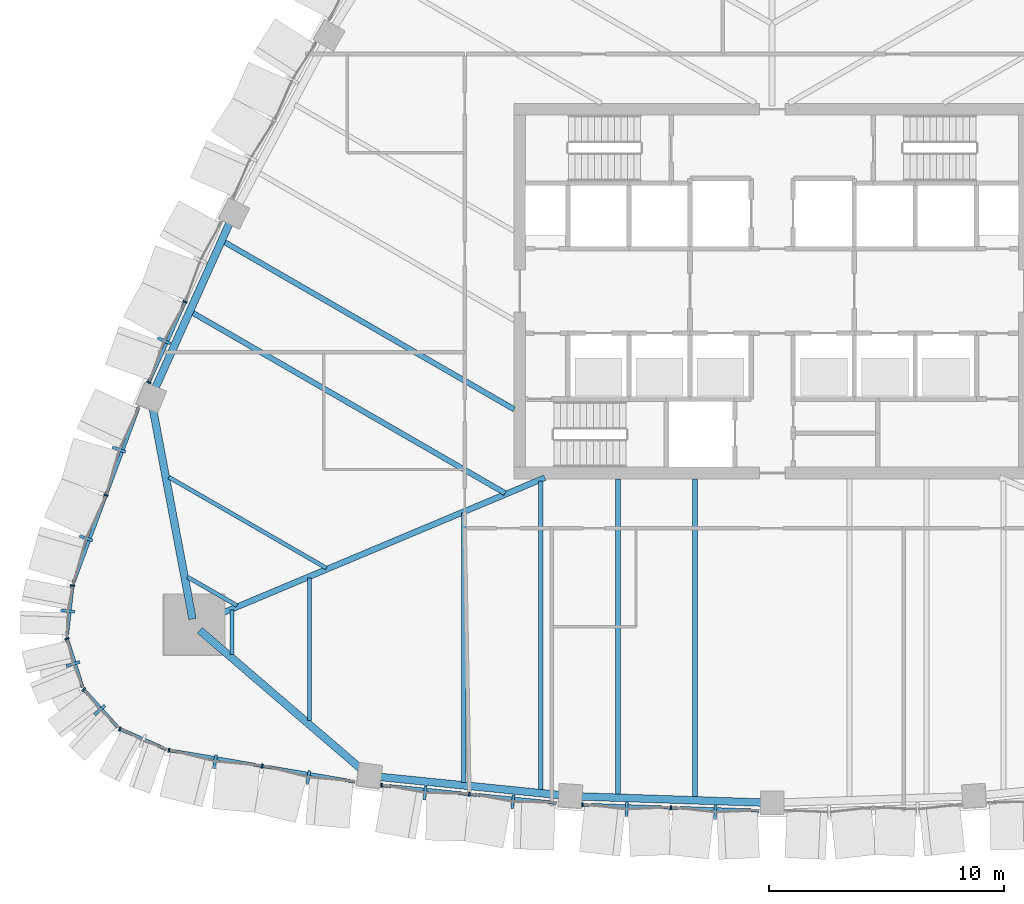
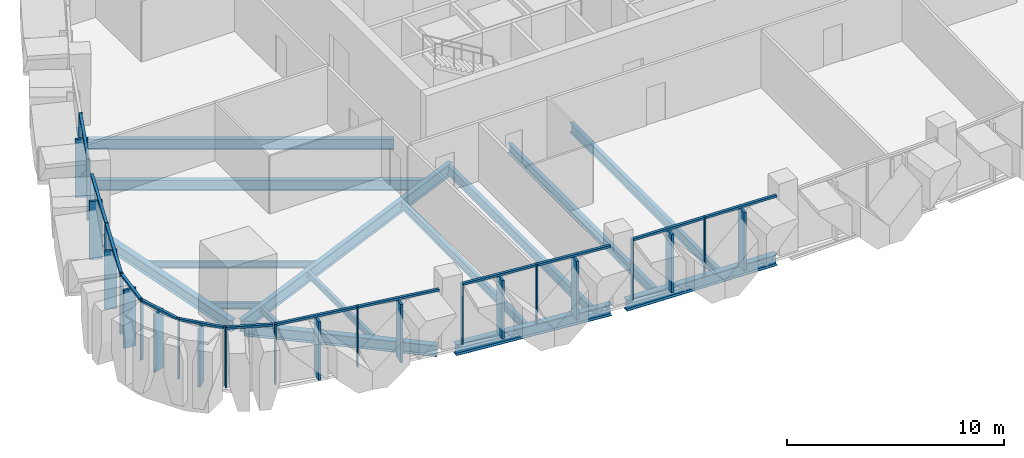
# One storey, part 2 of 22: 38 members, 16 beams, 9 elements without a shape of their own.
"""IFC4 building model written with IfcOpenShell, lengths in metres."""

from ifc_helpers import new_model, si_unit, direction, frame, origin, origin_2d, place, context, subcontext, project, spatial, rectangle, i_section, extrude, material, layer, layer_set, material_profile, profile_set, type_object, element, aggregate, save


model = new_model("IFC4")

# Units and contexts
model_context = context("Model", 3, precision=1e-05, world=origin(), true_north=direction((0.0, 1.0)))
body_context = subcontext(model_context, "Body", "Model", "MODEL_VIEW")
ifc_project = project(units=[si_unit("LENGTHUNIT", "METRE"), si_unit("AREAUNIT", "SQUARE_METRE"), si_unit("VOLUMEUNIT", "CUBIC_METRE"), si_unit("PLANEANGLEUNIT", "RADIAN"), si_unit("MASSUNIT", "GRAM", prefix="KILO")], contexts=[model_context])

# Site, building, storey
site_placement = place(None, origin())
site = spatial("IfcSite", under=ifc_project, at=site_placement, CompositionType="ELEMENT")
building_placement = place(site_placement, origin())
building = spatial("IfcBuilding", under=site, at=building_placement, Name="Sierra Prisma Convention Tower", CompositionType="ELEMENT")
storey_placement = place(building_placement, frame((0.0, 0.0, 141.800048828125)))
storey = spatial("IfcBuildingStorey", under=building, at=storey_placement, Name="L30", CompositionType="ELEMENT", Elevation=141.800048828125)

# Curtain wall, member
ifc_material_1 = material(Name="Aluminium and glass curtain wall", Category="aluminium")
ifc_layer = layer(ifc_material_1, 0.179931640625)
ifc_layer_set = layer_set([ifc_layer], Name="CW-2 Faceted crystal curtain wall")
curtain_wall_type = type_object("IfcCurtainWallType", Name="CW-2 Faceted crystal curtain wall", PredefinedType="NOTDEFINED", material=ifc_layer_set)
curtain_wall_1_placement = place(storey_placement, origin())
curtain_wall_1 = element("IfcCurtainWall", 1, at=curtain_wall_1_placement, inside=storey, type_object=curtain_wall_type, Name="CW-2 NW5 L30", PredefinedType="NOTDEFINED")
ifc_material_2 = material(Name="Aluminium 6063-T6 bronze anodised", Category="aluminium")
ifc_material_profile_1 = material_profile(ifc_material_2, rectangle(XDim=0.1201171875, YDim=0.60009765625, at=origin_2d()), Name="ALU RIDGE BLADE 120x600")
ifc_profile_set_1 = profile_set([ifc_material_profile_1], Name="Aluminium 6063-T6 bronze anodised")
member_type_1 = type_object("IfcMemberType", Name="CW hip bronze", PredefinedType="MULLION", material=ifc_profile_set_1)
member_1_placement = place(storey_placement, frame((-25.91552734375, -2.11181640625, 0.0), z_axis=(0.0, 0.0, 1.0), x_axis=(-0.410489192904, -0.911865462943, 0.0)))
member_1 = element("IfcMember", 2, at=member_1_placement, type_object=member_type_1, Name="CW-2 ridge NW5.2", PredefinedType="MULLION", context=body_context, shape_type="SweptSolid", body=[
    extrude(rectangle(XDim=0.1201171875, YDim=0.60009765625, at=origin_2d()), origin(), (0.0, 0.0, 1.0), 3.280029296875),
])

# Curtain wall, members
curtain_wall_2_placement = place(storey_placement, origin())
curtain_wall_2 = element("IfcCurtainWall", 3, at=curtain_wall_2_placement, inside=storey, type_object=curtain_wall_type, Name="CW-2 NW6 L30", PredefinedType="NOTDEFINED")
member_2_placement = place(storey_placement, frame((-27.827880859375, -6.7509765625, 0.0), z_axis=(0.0, 0.0, 1.0), x_axis=(-0.34845123133, -0.937326911693, 0.0)))
member_2 = element("IfcMember", 4, at=member_2_placement, type_object=member_type_1, Name="CW-2 ridge NW6.1", PredefinedType="MULLION", context=body_context, shape_type="SweptSolid", body=[
    extrude(rectangle(XDim=0.1201171875, YDim=0.60009765625, at=origin_2d()), origin(), (0.0, 0.0, 1.0), 3.280029296875),
])
member_3_placement = place(storey_placement, frame((-29.23291015625, -10.5302734375, 0.0), z_axis=(0.0, 0.0, 1.0), x_axis=(-0.34845123133, -0.937326911693, 0.0)))
member_3 = element("IfcMember", 5, at=member_3_placement, type_object=member_type_1, Name="CW-2 ridge NW6.2", PredefinedType="MULLION", context=body_context, shape_type="SweptSolid", body=[
    extrude(rectangle(XDim=0.1201171875, YDim=0.60009765625, at=origin_2d()), origin(), (0.0, 0.0, 1.0), 3.280029296875),
])

# Curtain wall, member
curtain_wall_3_placement = place(storey_placement, origin())
curtain_wall_3 = element("IfcCurtainWall", 6, at=curtain_wall_3_placement, inside=storey, type_object=curtain_wall_type, Name="CW-2 SW1 L30", PredefinedType="NOTDEFINED")
member_4_placement = place(storey_placement, frame((-30.011474609375, -13.6318359375, 0.0), z_axis=(0.0, 0.0, 1.0), x_axis=(-0.110659829885, -0.993858341038, 0.0)))
member_4 = element("IfcMember", 7, at=member_4_placement, type_object=member_type_1, Name="CW-2 ridge SW1.1", PredefinedType="MULLION", context=body_context, shape_type="SweptSolid", body=[
    extrude(rectangle(XDim=0.1201171875, YDim=0.60009765625, at=origin_2d()), origin(), (0.0, 0.0, 1.0), 3.280029296875),
])

curtain_wall_4_placement = place(storey_placement, origin())
curtain_wall_4 = element("IfcCurtainWall", 8, at=curtain_wall_4_placement, inside=storey, type_object=curtain_wall_type, Name="CW-2 SW2 L30", PredefinedType="NOTDEFINED")
member_5_placement = place(storey_placement, frame((-29.78369140625, -15.886962890625, 0.0), z_axis=(0.0, 0.0, 1.0), x_axis=(0.307061231267, -0.951689760506, 0.0)))
member_5 = element("IfcMember", 9, at=member_5_placement, type_object=member_type_1, Name="CW-2 ridge SW2.1", PredefinedType="MULLION", context=body_context, shape_type="SweptSolid", body=[
    extrude(rectangle(XDim=0.1201171875, YDim=0.60009765625, at=origin_2d()), origin(), (0.0, 0.0, 1.0), 3.280029296875),
])

curtain_wall_5_placement = place(storey_placement, origin())
curtain_wall_5 = element("IfcCurtainWall", 10, at=curtain_wall_5_placement, inside=storey, type_object=curtain_wall_type, Name="CW-2 SW3 L30", PredefinedType="NOTDEFINED")
member_6_placement = place(storey_placement, frame((-28.650390625, -17.85009765625, 0.0), z_axis=(0.0, 0.0, 1.0), x_axis=(0.670656893487, -0.741767707048, 0.0)))
member_6 = element("IfcMember", 11, at=member_6_placement, type_object=member_type_1, Name="CW-2 ridge SW3.1", PredefinedType="MULLION", context=body_context, shape_type="SweptSolid", body=[
    extrude(rectangle(XDim=0.1201171875, YDim=0.60009765625, at=origin_2d()), origin(), (0.0, 0.0, 1.0), 3.280029296875),
])

# Curtain wall, members
curtain_wall_6_placement = place(storey_placement, origin())
curtain_wall_6 = element("IfcCurtainWall", 12, at=curtain_wall_6_placement, inside=storey, type_object=curtain_wall_type, Name="CW-2 S1 L30", PredefinedType="NOTDEFINED")
member_7_placement = place(storey_placement, frame((-23.73583984375, -20.05126953125, 0.0), z_axis=(0.0, 0.0, 1.0), x_axis=(0.985974532842, -0.166895837535, 0.0)))
member_7 = element("IfcMember", 13, at=member_7_placement, type_object=member_type_1, Name="CW-2 ridge S1.1", PredefinedType="MULLION", context=body_context, shape_type="SweptSolid", body=[
    extrude(rectangle(XDim=0.1201171875, YDim=0.60009765625, at=origin_2d()), origin(), (0.0, 0.0, 1.0), 3.280029296875),
])
member_8_placement = place(storey_placement, frame((-19.760498046875, -20.72412109375, 0.0), z_axis=(0.0, 0.0, 1.0), x_axis=(0.985974532842, -0.166895837535, 0.0)))
member_8 = element("IfcMember", 14, at=member_8_placement, type_object=member_type_1, Name="CW-2 ridge S1.2", PredefinedType="MULLION", context=body_context, shape_type="SweptSolid", body=[
    extrude(rectangle(XDim=0.1201171875, YDim=0.60009765625, at=origin_2d()), origin(), (0.0, 0.0, 1.0), 3.280029296875),
])

curtain_wall_7_placement = place(storey_placement, origin())
curtain_wall_7 = element("IfcCurtainWall", 15, at=curtain_wall_7_placement, inside=storey, type_object=curtain_wall_type, Name="CW-2 S2 L30", PredefinedType="NOTDEFINED")
member_9_placement = place(storey_placement, frame((-14.78662109375, -21.3876953125, 0.0), z_axis=(0.0, 0.0, 1.0), x_axis=(0.994943252195, -0.100438662437, 0.0)))
member_9 = element("IfcMember", 16, at=member_9_placement, type_object=member_type_1, Name="CW-2 ridge S2.1", PredefinedType="MULLION", context=body_context, shape_type="SweptSolid", body=[
    extrude(rectangle(XDim=0.1201171875, YDim=0.60009765625, at=origin_2d()), origin(), (0.0, 0.0, 1.0), 3.280029296875),
])
member_10_placement = place(storey_placement, frame((-11.046142578125, -21.765380859375, 0.0), z_axis=(0.0, 0.0, 1.0), x_axis=(0.994943252195, -0.100438662437, 0.0)))
member_10 = element("IfcMember", 17, at=member_10_placement, type_object=member_type_1, Name="CW-2 ridge S2.2", PredefinedType="MULLION", context=body_context, shape_type="SweptSolid", body=[
    extrude(rectangle(XDim=0.1201171875, YDim=0.60009765625, at=origin_2d()), origin(), (0.0, 0.0, 1.0), 3.280029296875),
])

curtain_wall_8_placement = place(storey_placement, origin())
curtain_wall_8 = element("IfcCurtainWall", 18, at=curtain_wall_8_placement, inside=storey, type_object=curtain_wall_type, Name="CW-2 S3 L30", PredefinedType="NOTDEFINED")
member_11_placement = place(storey_placement, frame((-6.19970703125, -22.0908203125, 0.0), z_axis=(0.0, 0.0, 1.0), x_axis=(0.999437717663, -0.033529815272, 0.0)))
member_11 = element("IfcMember", 19, at=member_11_placement, type_object=member_type_1, Name="CW-2 ridge S3.1", PredefinedType="MULLION", context=body_context, shape_type="SweptSolid", body=[
    extrude(rectangle(XDim=0.1201171875, YDim=0.60009765625, at=origin_2d()), origin(), (0.0, 0.0, 1.0), 3.280029296875),
])
member_12_placement = place(storey_placement, frame((-2.42626953125, -22.21728515625, 0.0), z_axis=(0.0, 0.0, 1.0), x_axis=(0.999437717663, -0.033529815272, 0.0)))
member_12 = element("IfcMember", 20, at=member_12_placement, type_object=member_type_1, Name="CW-2 ridge S3.2", PredefinedType="MULLION", context=body_context, shape_type="SweptSolid", body=[
    extrude(rectangle(XDim=0.1201171875, YDim=0.60009765625, at=origin_2d()), origin(), (0.0, 0.0, 1.0), 3.280029296875),
])

# Member
ifc_material_3 = material(Name="Aluminium 6063-T6 bronze anodised", Category="aluminium")
ifc_material_profile_2 = material_profile(ifc_material_3, rectangle(XDim=0.179931640625, YDim=0.070068359375, at=origin_2d()), Name="ALU MULLION 70x180")
ifc_profile_set_2 = profile_set([ifc_material_profile_2], Name="Aluminium 6063-T6 bronze anodised")
member_type_2 = type_object("IfcMemberType", Name="CW mullion bronze", PredefinedType="MULLION", material=ifc_profile_set_2)
member_13_placement = place(storey_placement, frame((-25.01171875, -0.457275390625, 0.0), z_axis=(0.0, 0.0, 1.0), x_axis=(0.911865462943, -0.410489192904, 0.0)))
member_13 = element("IfcMember", 21, at=member_13_placement, type_object=member_type_2, Name="CW-1 mullion NW5.2", PredefinedType="MULLION", context=body_context, shape_type="SweptSolid", body=[
    extrude(rectangle(XDim=0.179931640625, YDim=0.070068359375, at=origin_2d()), origin(), (0.0, 0.0, 1.0), 3.39990234375),
])

member_14_placement = place(storey_placement, frame((-26.554931640625, -3.885498046875, 0.0), z_axis=(0.0, 0.0, 1.0), x_axis=(0.911865462943, -0.410489192904, 0.0)))
member_14 = element("IfcMember", 22, at=member_14_placement, type_object=member_type_2, Name="CW-1 mullion NW5.3", PredefinedType="MULLION", context=body_context, shape_type="SweptSolid", body=[
    extrude(rectangle(XDim=0.179931640625, YDim=0.070068359375, at=origin_2d()), origin(), (0.0, 0.0, 1.0), 3.39990234375),
])

member_15_placement = place(storey_placement, frame((-28.38427734375, -8.695068359375, 0.0), z_axis=(0.0, 0.0, 1.0), x_axis=(0.937326911693, -0.34845123133, 0.0)))
member_15 = element("IfcMember", 23, at=member_15_placement, type_object=member_type_2, Name="CW-1 mullion NW6.2", PredefinedType="MULLION", context=body_context, shape_type="SweptSolid", body=[
    extrude(rectangle(XDim=0.179931640625, YDim=0.070068359375, at=origin_2d()), origin(), (0.0, 0.0, 1.0), 3.39990234375),
])

member_16_placement = place(storey_placement, frame((-29.80517578125, -12.541748046875, 0.0), z_axis=(0.0, 0.0, 1.0), x_axis=(0.993858341038, -0.110659829885, 0.0)))
member_16 = element("IfcMember", 24, at=member_16_placement, type_object=member_type_2, Name="CW-1 mullion SW1.1", PredefinedType="MULLION", context=body_context, shape_type="SweptSolid", body=[
    extrude(rectangle(XDim=0.179931640625, YDim=0.070068359375, at=origin_2d()), origin(), (0.0, 0.0, 1.0), 3.39990234375),
])

member_17_placement = place(storey_placement, frame((-30.043212890625, -14.808349609375, 0.0), z_axis=(0.0, 0.0, 1.0), x_axis=(0.951689760506, 0.307061231267, 0.0)))
member_17 = element("IfcMember", 25, at=member_17_placement, type_object=member_type_2, Name="CW-1 mullion SW2.1", PredefinedType="MULLION", context=body_context, shape_type="SweptSolid", body=[
    extrude(rectangle(XDim=0.179931640625, YDim=0.070068359375, at=origin_2d()), origin(), (0.0, 0.0, 1.0), 3.39990234375),
])

member_18_placement = place(storey_placement, frame((-29.32958984375, -16.972900390625, 0.0), z_axis=(0.0, 0.0, 1.0), x_axis=(0.741767707048, 0.670656893487, 0.0)))
member_18 = element("IfcMember", 26, at=member_18_placement, type_object=member_type_2, Name="CW-1 mullion SW3.1", PredefinedType="MULLION", context=body_context, shape_type="SweptSolid", body=[
    extrude(rectangle(XDim=0.179931640625, YDim=0.070068359375, at=origin_2d()), origin(), (0.0, 0.0, 1.0), 3.39990234375),
])

# Curtain wall, member
curtain_wall_9_placement = place(storey_placement, origin())
curtain_wall_9 = element("IfcCurtainWall", 27, at=curtain_wall_9_placement, inside=storey, type_object=curtain_wall_type, Name="CW-2 SW4 L30", PredefinedType="NOTDEFINED")
member_19_placement = place(storey_placement, frame((-27.79052734375, -18.65380859375, 0.0), z_axis=(0.0, 0.0, 1.0), x_axis=(0.40109494666, 0.916036486044, 0.0)))
member_19 = element("IfcMember", 28, at=member_19_placement, type_object=member_type_2, Name="CW-1 mullion SW4.1", PredefinedType="MULLION", context=body_context, shape_type="SweptSolid", body=[
    extrude(rectangle(XDim=0.179931640625, YDim=0.070068359375, at=origin_2d()), origin(), (0.0, 0.0, 1.0), 3.39990234375),
])

# Member
member_20_placement = place(storey_placement, frame((-25.697509765625, -19.56103515625, 0.0), z_axis=(0.0, 0.0, 1.0), x_axis=(0.166895837535, 0.985974532842, 0.0)))
member_20 = element("IfcMember", 29, at=member_20_placement, type_object=member_type_2, Name="CW-1 mullion S1.1", PredefinedType="MULLION", context=body_context, shape_type="SweptSolid", body=[
    extrude(rectangle(XDim=0.179931640625, YDim=0.070068359375, at=origin_2d()), origin(), (0.0, 0.0, 1.0), 3.39990234375),
])

member_21_placement = place(storey_placement, frame((-21.72216796875, -20.23388671875, 0.0), z_axis=(0.0, 0.0, 1.0), x_axis=(0.166895837535, 0.985974532842, 0.0)))
member_21 = element("IfcMember", 30, at=member_21_placement, type_object=member_type_2, Name="CW-1 mullion S1.2", PredefinedType="MULLION", context=body_context, shape_type="SweptSolid", body=[
    extrude(rectangle(XDim=0.179931640625, YDim=0.070068359375, at=origin_2d()), origin(), (0.0, 0.0, 1.0), 3.39990234375),
])

member_22_placement = place(storey_placement, frame((-16.642333984375, -21.054443359375, 0.0), z_axis=(0.0, 0.0, 1.0), x_axis=(0.100438662437, 0.994943252195, 0.0)))
member_22 = element("IfcMember", 31, at=member_22_placement, type_object=member_type_2, Name="CW-1 mullion S2.1", PredefinedType="MULLION", context=body_context, shape_type="SweptSolid", body=[
    extrude(rectangle(XDim=0.179931640625, YDim=0.070068359375, at=origin_2d()), origin(), (0.0, 0.0, 1.0), 3.39990234375),
])

member_23_placement = place(storey_placement, frame((-12.90185546875, -21.43212890625, 0.0), z_axis=(0.0, 0.0, 1.0), x_axis=(0.100438662437, 0.994943252195, 0.0)))
member_23 = element("IfcMember", 32, at=member_23_placement, type_object=member_type_2, Name="CW-1 mullion S2.2", PredefinedType="MULLION", context=body_context, shape_type="SweptSolid", body=[
    extrude(rectangle(XDim=0.179931640625, YDim=0.070068359375, at=origin_2d()), origin(), (0.0, 0.0, 1.0), 3.39990234375),
])

member_24_placement = place(storey_placement, frame((-8.08154296875, -21.8818359375, 0.0), z_axis=(0.0, 0.0, 1.0), x_axis=(0.033529815272, 0.999437717663, 0.0)))
member_24 = element("IfcMember", 33, at=member_24_placement, type_object=member_type_2, Name="CW-1 mullion S3.1", PredefinedType="MULLION", context=body_context, shape_type="SweptSolid", body=[
    extrude(rectangle(XDim=0.179931640625, YDim=0.070068359375, at=origin_2d()), origin(), (0.0, 0.0, 1.0), 3.39990234375),
])

member_25_placement = place(storey_placement, frame((-4.30810546875, -22.00830078125, 0.0), z_axis=(0.0, 0.0, 1.0), x_axis=(0.033529815272, 0.999437717663, 0.0)))
member_25 = element("IfcMember", 34, at=member_25_placement, type_object=member_type_2, Name="CW-1 mullion S3.2", PredefinedType="MULLION", context=body_context, shape_type="SweptSolid", body=[
    extrude(rectangle(XDim=0.179931640625, YDim=0.070068359375, at=origin_2d()), origin(), (0.0, 0.0, 1.0), 3.39990234375),
])

ifc_material_4 = material(Name="Aluminium 6063-T6 bronze anodised", Category="aluminium")
ifc_material_profile_3 = material_profile(ifc_material_4, rectangle(XDim=0.139892578125, YDim=0.1201171875, at=origin_2d()), Name="ALU TRANSOM 120x140")
ifc_profile_set_3 = profile_set([ifc_material_profile_3], Name="Aluminium 6063-T6 bronze anodised")
member_type_3 = type_object("IfcMemberType", Name="CW transom bronze", PredefinedType="USERDEFINED", material=ifc_profile_set_3)
member_26_placement = place(storey_placement, frame((-25.02587890625, -0.4892578125, 3.33984375), z_axis=(-0.41052975614, -0.911847201742, 0.0), x_axis=(0.911847201742, -0.41052975614, 0.0)))
member_26 = element("IfcMember", 35, at=member_26_placement, type_object=member_type_3, Name="CW-1 transom NW5.2", ObjectType="TRANSOM", PredefinedType="USERDEFINED", context=body_context, shape_type="SweptSolid", body=[
    extrude(rectangle(XDim=0.139892578125, YDim=0.1201171875, at=origin_2d()), origin(), (0.0, 0.0, 1.0), 3.689453125),
])

aggregate(curtain_wall_1, [member_13, member_14, member_26, member_1])

member_27_placement = place(storey_placement, frame((-26.991455078125, -4.948486328125, 3.33984375), z_axis=(-0.348468097312, -0.937320641593, 0.0), x_axis=(0.937320641593, -0.348468097312, 0.0)))
member_27 = element("IfcMember", 36, at=member_27_placement, type_object=member_type_3, Name="CW-1 transom NW6.1", ObjectType="TRANSOM", PredefinedType="USERDEFINED", context=body_context, shape_type="SweptSolid", body=[
    extrude(rectangle(XDim=0.139892578125, YDim=0.1201171875, at=origin_2d()), origin(), (0.0, 0.0, 1.0), 3.9619140625),
])

member_28_placement = place(storey_placement, frame((-28.396484375, -8.727783203125, 3.33984375), z_axis=(-0.348413956998, -0.937340767581, 0.0), x_axis=(0.937340767581, -0.348413956998, 0.0)))
member_28 = element("IfcMember", 37, at=member_28_placement, type_object=member_type_3, Name="CW-1 transom NW6.2", ObjectType="TRANSOM", PredefinedType="USERDEFINED", context=body_context, shape_type="SweptSolid", body=[
    extrude(rectangle(XDim=0.139892578125, YDim=0.1201171875, at=origin_2d()), origin(), (0.0, 0.0, 1.0), 3.9619140625),
])

aggregate(curtain_wall_2, [member_15, member_27, member_2, member_28, member_3])

member_29_placement = place(storey_placement, frame((-29.80908203125, -12.57666015625, 3.33984375), z_axis=(-0.110669201366, -0.993857297538, 0.0), x_axis=(0.993857297538, -0.110669201366, 0.0)))
member_29 = element("IfcMember", 38, at=member_29_placement, type_object=member_type_3, Name="CW-1 transom SW1.1", ObjectType="TRANSOM", PredefinedType="USERDEFINED", context=body_context, shape_type="SweptSolid", body=[
    extrude(rectangle(XDim=0.139892578125, YDim=0.1201171875, at=origin_2d()), origin(), (0.0, 0.0, 1.0), 2.14208984375),
])

aggregate(curtain_wall_3, [member_16, member_29, member_4])

member_30_placement = place(storey_placement, frame((-30.032470703125, -14.841796875, 3.33984375), z_axis=(0.307152625268, -0.951660267528, 0.0), x_axis=(0.951660267528, 0.307152625268, 0.0)))
member_30 = element("IfcMember", 39, at=member_30_placement, type_object=member_type_3, Name="CW-1 transom SW2.1", ObjectType="TRANSOM", PredefinedType="USERDEFINED", context=body_context, shape_type="SweptSolid", body=[
    extrude(rectangle(XDim=0.139892578125, YDim=0.1201171875, at=origin_2d()), origin(), (0.0, 0.0, 1.0), 2.14208984375),
])

aggregate(curtain_wall_4, [member_17, member_30, member_5])

member_31_placement = place(storey_placement, frame((-29.30615234375, -16.9990234375, 3.33984375), z_axis=(0.670650647687, -0.741773354036, 0.0), x_axis=(0.741773354036, 0.670650647687, 0.0)))
member_31 = element("IfcMember", 40, at=member_31_placement, type_object=member_type_3, Name="CW-1 transom SW3.1", ObjectType="TRANSOM", PredefinedType="USERDEFINED", context=body_context, shape_type="SweptSolid", body=[
    extrude(rectangle(XDim=0.139892578125, YDim=0.1201171875, at=origin_2d()), origin(), (0.0, 0.0, 1.0), 2.14208984375),
])

aggregate(curtain_wall_5, [member_18, member_31, member_6])

member_32_placement = place(storey_placement, frame((-27.758544921875, -18.66796875, 3.33984375), z_axis=(0.916057913522, -0.401046006181, 0.0), x_axis=(0.401046006181, 0.916057913522, 0.0)))
member_32 = element("IfcMember", 41, at=member_32_placement, type_object=member_type_3, Name="CW-1 transom SW4.1", ObjectType="TRANSOM", PredefinedType="USERDEFINED", context=body_context, shape_type="SweptSolid", body=[
    extrude(rectangle(XDim=0.139892578125, YDim=0.1201171875, at=origin_2d()), origin(), (0.0, 0.0, 1.0), 2.142333984375),
])

aggregate(curtain_wall_9, [member_19, member_32])

member_33_placement = place(storey_placement, frame((-25.6630859375, -19.56689453125, 3.33984375), z_axis=(0.985979481749, -0.166866598124, 0.0), x_axis=(0.166866598124, 0.985979481749, 0.0)))
member_33 = element("IfcMember", 42, at=member_33_placement, type_object=member_type_3, Name="CW-1 transom S1.1", ObjectType="TRANSOM", PredefinedType="USERDEFINED", context=body_context, shape_type="SweptSolid", body=[
    extrude(rectangle(XDim=0.139892578125, YDim=0.1201171875, at=origin_2d()), origin(), (0.0, 0.0, 1.0), 3.962158203125),
])

member_34_placement = place(storey_placement, frame((-21.687744140625, -20.23974609375, 3.33984375), z_axis=(0.9859693419, -0.166926501294, 0.0), x_axis=(0.166926501294, 0.9859693419, 0.0)))
member_34 = element("IfcMember", 43, at=member_34_placement, type_object=member_type_3, Name="CW-1 transom S1.2", ObjectType="TRANSOM", PredefinedType="USERDEFINED", context=body_context, shape_type="SweptSolid", body=[
    extrude(rectangle(XDim=0.139892578125, YDim=0.1201171875, at=origin_2d()), origin(), (0.0, 0.0, 1.0), 3.962158203125),
])

aggregate(curtain_wall_6, [member_20, member_21, member_33, member_7, member_34, member_8])

member_35_placement = place(storey_placement, frame((-16.607421875, -21.057861328125, 3.33984375), z_axis=(0.994941732902, -0.100453711377, 0.0), x_axis=(0.100453711377, 0.994941732902, 0.0)))
member_35 = element("IfcMember", 44, at=member_35_placement, type_object=member_type_3, Name="CW-1 transom S2.1", ObjectType="TRANSOM", PredefinedType="USERDEFINED", context=body_context, shape_type="SweptSolid", body=[
    extrude(rectangle(XDim=0.139892578125, YDim=0.1201171875, at=origin_2d()), origin(), (0.0, 0.0, 1.0), 3.689208984375),
])

member_36_placement = place(storey_placement, frame((-12.866943359375, -21.435546875, 3.33984375), z_axis=(0.994942400605, -0.100447097906, 0.0), x_axis=(0.100447097906, 0.994942400605, 0.0)))
member_36 = element("IfcMember", 45, at=member_36_placement, type_object=member_type_3, Name="CW-1 transom S2.2", ObjectType="TRANSOM", PredefinedType="USERDEFINED", context=body_context, shape_type="SweptSolid", body=[
    extrude(rectangle(XDim=0.139892578125, YDim=0.1201171875, at=origin_2d()), origin(), (0.0, 0.0, 1.0), 3.689453125),
])

aggregate(curtain_wall_7, [member_22, member_23, member_35, member_9, member_36, member_10])

member_37_placement = place(storey_placement, frame((-8.046630859375, -21.8828125, 3.33984375), z_axis=(0.999437496657, -0.033536402254, 0.0), x_axis=(0.033536402254, 0.999437496657, 0.0)))
member_37 = element("IfcMember", 46, at=member_37_placement, type_object=member_type_3, Name="CW-1 transom S3.1", ObjectType="TRANSOM", PredefinedType="USERDEFINED", context=body_context, shape_type="SweptSolid", body=[
    extrude(rectangle(XDim=0.139892578125, YDim=0.1201171875, at=origin_2d()), origin(), (0.0, 0.0, 1.0), 3.70556640625),
])

member_38_placement = place(storey_placement, frame((-4.273193359375, -22.009521484375, 3.33984375), z_axis=(0.999437570752, -0.033534194035, 0.0), x_axis=(0.033534194035, 0.999437570752, 0.0)))
member_38 = element("IfcMember", 47, at=member_38_placement, type_object=member_type_3, Name="CW-1 transom S3.2", ObjectType="TRANSOM", PredefinedType="USERDEFINED", context=body_context, shape_type="SweptSolid", body=[
    extrude(rectangle(XDim=0.139892578125, YDim=0.1201171875, at=origin_2d()), origin(), (0.0, 0.0, 1.0), 3.705810546875),
])

aggregate(curtain_wall_8, [member_24, member_25, member_37, member_11, member_38, member_12])

# Beams
ifc_material_5 = material(Name="Steel ASTM A992 Gr 50", Category="steel")
ifc_material_profile_4 = material_profile(ifc_material_5, i_section(OverallWidth=0.172119140625, OverallDepth=0.35791015625, WebThickness=0.0078125, FlangeThickness=0.01318359375, at=origin_2d()), Name="W360x57")
ifc_profile_set_4 = profile_set([ifc_material_profile_4], Name="Steel ASTM A992 Gr 50")
beam_type_1 = type_object("IfcBeamType", Name="Floor joist W360x57", PredefinedType="JOIST", material=ifc_profile_set_4)
beam_1_placement = place(storey_placement, frame((-23.002685546875, -15.4765625, -0.3291015625), z_axis=(0.0, 1.0, 0.0), x_axis=(-1.0, 0.0, 0.0)))
element("IfcBeam", 48, at=beam_1_placement, inside=storey, type_object=beam_type_1, Name="Floor joist L30 S01", PredefinedType="JOIST", context=body_context, shape_type="SweptSolid", body=[
    extrude(i_section(OverallWidth=0.172119140625, OverallDepth=0.35791015625, WebThickness=0.0078125, FlangeThickness=0.01318359375, at=origin_2d()), origin(), (0.0, 0.0, 1.0), 1.881591796875),
])
beam_2_placement = place(storey_placement, frame((-19.716552734375, -18.299560546875, -0.3291015625), z_axis=(0.0, 1.0, 0.0), x_axis=(-1.0, 0.0, 0.0)))
element("IfcBeam", 49, at=beam_2_placement, inside=storey, type_object=beam_type_1, Name="Floor joist L30 S02", PredefinedType="JOIST", context=body_context, shape_type="SweptSolid", body=[
    extrude(i_section(OverallWidth=0.172119140625, OverallDepth=0.35791015625, WebThickness=0.0078125, FlangeThickness=0.01318359375, at=origin_2d()), origin(), (0.0, 0.0, 1.0), 6.08349609375),
])
beam_3_placement = place(storey_placement, frame((-25.7060546875, -7.92529296875, -0.3291015625), z_axis=(0.866021446005, -0.500006855012, 0.0), x_axis=(0.500006855012, 0.866021446005, 0.0)))
element("IfcBeam", 50, at=beam_3_placement, inside=storey, type_object=beam_type_1, Name="Floor joist L30 NW14", PredefinedType="JOIST", context=body_context, shape_type="SweptSolid", body=[
    extrude(i_section(OverallWidth=0.172119140625, OverallDepth=0.35791015625, WebThickness=0.0078125, FlangeThickness=0.01318359375, at=origin_2d()), origin(), (0.0, 0.0, 1.0), 7.7529296875),
])
beam_4_placement = place(storey_placement, frame((-24.904296875, -12.1826171875, -0.3291015625), z_axis=(0.866041838024, -0.499971533982, 0.0), x_axis=(0.499971533982, 0.866041838024, 0.0)))
element("IfcBeam", 51, at=beam_4_placement, inside=storey, type_object=beam_type_1, Name="Floor joist L30 NW15", PredefinedType="JOIST", context=body_context, shape_type="SweptSolid", body=[
    extrude(i_section(OverallWidth=0.172119140625, OverallDepth=0.35791015625, WebThickness=0.0078125, FlangeThickness=0.01318359375, at=origin_2d()), origin(), (0.0, 0.0, 1.0), 2.432373046875),
])
ifc_material_6 = material(Name="Steel ASTM A992 Gr 50", Category="steel")
ifc_material_profile_5 = material_profile(ifc_material_6, i_section(OverallWidth=0.18994140625, OverallDepth=0.45703125, WebThickness=0.009033203125, FlangeThickness=0.014404296875, at=origin_2d()), Name="W460x74")
ifc_profile_set_5 = profile_set([ifc_material_profile_5], Name="Steel ASTM A992 Gr 50")
beam_type_2 = type_object("IfcBeamType", Name="Floor joist W460x74", PredefinedType="JOIST", material=ifc_profile_set_5)
beam_5_placement = place(storey_placement, frame((-13.144287109375, -20.942626953125, -0.378662109375), z_axis=(0.0, 1.0, 0.0), x_axis=(-1.0, 0.0, 0.0)))
element("IfcBeam", 52, at=beam_5_placement, inside=storey, type_object=beam_type_2, Name="Floor joist L30 S04", PredefinedType="JOIST", context=body_context, shape_type="SweptSolid", body=[
    extrude(i_section(OverallWidth=0.18994140625, OverallDepth=0.45703125, WebThickness=0.009033203125, FlangeThickness=0.014404296875, at=origin_2d()), origin(), (0.0, 0.0, 1.0), 11.484375),
])
ifc_material_7 = material(Name="Steel ASTM A992 Gr 50", Category="steel")
ifc_material_profile_6 = material_profile(ifc_material_7, i_section(OverallWidth=0.208984375, OverallDepth=0.532958984375, WebThickness=0.01025390625, FlangeThickness=0.015625, at=origin_2d()), Name="W530x92")
ifc_profile_set_6 = profile_set([ifc_material_profile_6], Name="Steel ASTM A992 Gr 50")
beam_type_3 = type_object("IfcBeamType", Name="Floor joist W530x92", PredefinedType="JOIST", material=ifc_profile_set_6)
beam_6_placement = place(storey_placement, frame((-9.858154296875, -21.2744140625, -0.41650390625), z_axis=(0.0, 1.0, 0.0), x_axis=(-1.0, 0.0, 0.0)))
element("IfcBeam", 53, at=beam_6_placement, inside=storey, type_object=beam_type_3, Name="Floor joist L30 S05", PredefinedType="JOIST", context=body_context, shape_type="SweptSolid", body=[
    extrude(i_section(OverallWidth=0.208984375, OverallDepth=0.532958984375, WebThickness=0.01025390625, FlangeThickness=0.015625, at=origin_2d()), origin(), (0.0, 0.0, 1.0), 13.19482421875),
])
beam_7_placement = place(storey_placement, frame((-6.572265625, -21.4697265625, -0.41650390625), z_axis=(0.0, 1.0, 0.0), x_axis=(-1.0, 0.0, 0.0)))
element("IfcBeam", 54, at=beam_7_placement, inside=storey, type_object=beam_type_3, Name="Floor joist L30 S06", PredefinedType="JOIST", context=body_context, shape_type="SweptSolid", body=[
    extrude(i_section(OverallWidth=0.208984375, OverallDepth=0.532958984375, WebThickness=0.01025390625, FlangeThickness=0.015625, at=origin_2d()), origin(), (0.0, 0.0, 1.0), 13.4697265625),
])
beam_8_placement = place(storey_placement, frame((-3.2861328125, -21.580078125, -0.41650390625), z_axis=(0.0, 1.0, 0.0), x_axis=(-1.0, 0.0, 0.0)))
element("IfcBeam", 55, at=beam_8_placement, inside=storey, type_object=beam_type_3, Name="Floor joist L30 S07", PredefinedType="JOIST", context=body_context, shape_type="SweptSolid", body=[
    extrude(i_section(OverallWidth=0.208984375, OverallDepth=0.532958984375, WebThickness=0.01025390625, FlangeThickness=0.015625, at=origin_2d()), origin(), (0.0, 0.0, 1.0), 13.580078125),
])
ifc_material_8 = material(Name="Steel ASTM A992 Gr 50", Category="steel")
ifc_material_profile_7 = material_profile(ifc_material_8, i_section(OverallWidth=0.22802734375, OverallDepth=0.60302734375, WebThickness=0.010498046875, FlangeThickness=0.014892578125, at=origin_2d()), Name="W610x101")
ifc_profile_set_7 = profile_set([ifc_material_profile_7], Name="Steel ASTM A992 Gr 50")
beam_type_4 = type_object("IfcBeamType", Name="Floor joist W610x101", PredefinedType="JOIST", material=ifc_profile_set_7)
beam_9_placement = place(storey_placement, frame((-23.353271484375, 2.099609375, -0.45166015625), z_axis=(0.866027970067, -0.499995555042, 0.0), x_axis=(0.499995555042, 0.866027970067, 0.0)))
element("IfcBeam", 56, at=beam_9_placement, inside=storey, type_object=beam_type_4, Name="Floor joist L30 NW11", PredefinedType="JOIST", context=body_context, shape_type="SweptSolid", body=[
    extrude(i_section(OverallWidth=0.22802734375, OverallDepth=0.60302734375, WebThickness=0.010498046875, FlangeThickness=0.014892578125, at=origin_2d()), origin(), (0.0, 0.0, 1.0), 14.264404296875),
])
beam_10_placement = place(storey_placement, frame((-24.708984375, -0.912109375, -0.45166015625), z_axis=(0.866029474376, -0.499992949462, 0.0), x_axis=(0.499992949462, 0.866029474376, 0.0)))
element("IfcBeam", 57, at=beam_10_placement, inside=storey, type_object=beam_type_4, Name="Floor joist L30 NW12", PredefinedType="JOIST", context=body_context, shape_type="SweptSolid", body=[
    extrude(i_section(OverallWidth=0.22802734375, OverallDepth=0.60302734375, WebThickness=0.010498046875, FlangeThickness=0.014892578125, at=origin_2d()), origin(), (0.0, 0.0, 1.0), 15.391357421875),
])
ifc_material_9 = material(Name="Steel ASTM A992 Gr 50", Category="steel")
ifc_material_profile_8 = material_profile(ifc_material_9, i_section(OverallWidth=0.25390625, OverallDepth=0.68408203125, WebThickness=0.012451171875, FlangeThickness=0.018798828125, at=origin_2d()), Name="W690x140")
ifc_profile_set_8 = profile_set([ifc_material_profile_8], Name="Steel ASTM A992 Gr 50")
beam_type_5 = type_object("IfcBeamType", Name="Radial girder W690x140", PredefinedType="BEAM", material=ifc_profile_set_8)
beam_11_placement = place(storey_placement, frame((-24.3857421875, -14.1201171875, -0.491943359375), z_axis=(0.922115058473, 0.386915777575, 0.0), x_axis=(-0.386915777575, 0.922115058473, 0.0)))
element("IfcBeam", 58, at=beam_11_placement, inside=storey, type_object=beam_type_5, Name="Radial girder L30 SW", PredefinedType="BEAM", context=body_context, shape_type="SweptSolid", body=[
    extrude(i_section(OverallWidth=0.25390625, OverallDepth=0.68408203125, WebThickness=0.012451171875, FlangeThickness=0.018798828125, at=origin_2d()), origin(), (0.0, 0.0, 1.0), 15.9375),
])
ifc_material_10 = material(Name="Steel ASTM A992 Gr 50", Category="steel")
ifc_material_profile_9 = material_profile(ifc_material_10, i_section(OverallWidth=0.324951171875, OverallDepth=0.615966796875, WebThickness=0.013916015625, FlangeThickness=0.021484375, at=origin_2d()), Name="W610x174")
ifc_profile_set_9 = profile_set([ifc_material_profile_9], Name="Steel ASTM A992 Gr 50")
beam_type_6 = type_object("IfcBeamType", Name="Spandrel beam W610x174", PredefinedType="BEAM", material=ifc_profile_set_9)
beam_12_placement = place(storey_placement, frame((-24.3857421875, -14.45263671875, -0.4580078125), z_axis=(0.758529271561, -0.651638967669, 0.0), x_axis=(0.651638967669, 0.758529271561, 0.0)))
element("IfcBeam", 59, at=beam_12_placement, inside=storey, type_object=beam_type_6, Name="Spandrel L30-01", PredefinedType="BEAM", context=body_context, shape_type="SweptSolid", body=[
    extrude(i_section(OverallWidth=0.324951171875, OverallDepth=0.615966796875, WebThickness=0.013916015625, FlangeThickness=0.021484375, at=origin_2d()), origin(), (0.0, 0.0, 1.0), 9.033447265625),
])
beam_13_placement = place(storey_placement, frame((-16.794189453125, -20.6875, -0.4580078125), z_axis=(0.994941585701, -0.100455169323, 0.0), x_axis=(0.100455169323, 0.994941585701, 0.0)))
element("IfcBeam", 60, at=beam_13_placement, inside=storey, type_object=beam_type_6, Name="Spandrel L30-02", PredefinedType="BEAM", context=body_context, shape_type="SweptSolid", body=[
    extrude(i_section(OverallWidth=0.324951171875, OverallDepth=0.615966796875, WebThickness=0.013916015625, FlangeThickness=0.021484375, at=origin_2d()), origin(), (0.0, 0.0, 1.0), 7.85009765625),
])
for number, where, z_axis, x_axis, name in (
    (61, (-8.2255859375, -21.52685546875, -0.4580078125), (0.999437808128, -0.03352711863, 0.0), (0.03352711863, 0.999437808128, 0.0), "Spandrel L30-03"),
    (62, (-23.0908203125, 2.95751953125, -0.4580078125), (-0.410479769618, -0.911869704911, 0.0), (0.911869704911, -0.410479769618, 0.0), "Spandrel L30-17"),
):
    element("IfcBeam", number, at=place(storey_placement, frame(where, z_axis=z_axis, x_axis=x_axis)), inside=storey, type_object=beam_type_6, Name=name, PredefinedType="BEAM", context=body_context, shape_type="SweptSolid", body=[
        extrude(i_section(OverallWidth=0.324951171875, OverallDepth=0.615966796875, WebThickness=0.013916015625, FlangeThickness=0.021484375, at=origin_2d()), origin(), (0.0, 0.0, 1.0), 7.849853515625),
    ])
beam_14_placement = place(storey_placement, frame((-26.381103515625, -5.014892578125, -0.4580078125), z_axis=(0.185092493617, -0.982721104285, 0.0), x_axis=(0.982721104285, 0.185092493617, 0.0)))
element("IfcBeam", 63, at=beam_14_placement, inside=storey, type_object=beam_type_6, Name="Spandrel L30-18", PredefinedType="BEAM", context=body_context, shape_type="SweptSolid", body=[
    extrude(i_section(OverallWidth=0.324951171875, OverallDepth=0.615966796875, WebThickness=0.013916015625, FlangeThickness=0.021484375, at=origin_2d()), origin(), (0.0, 0.0, 1.0), 9.11181640625),
])

save(model, "model.ifc")
